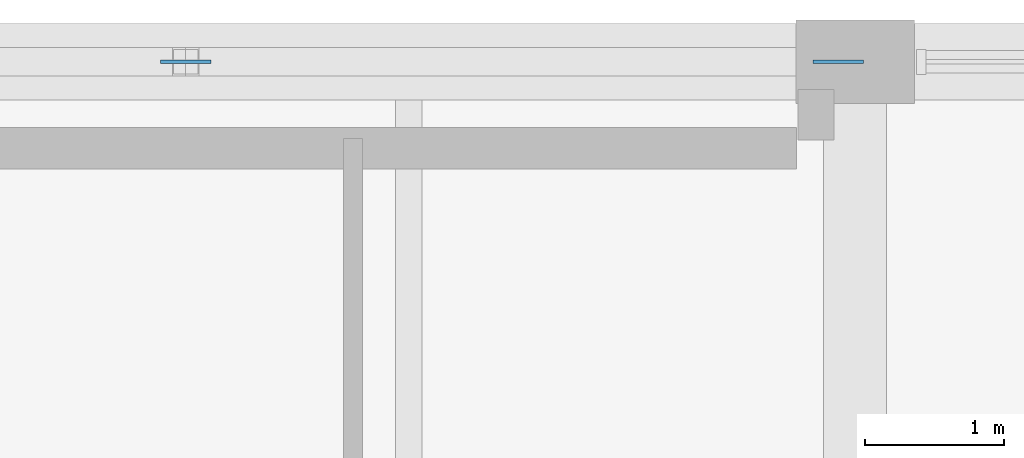
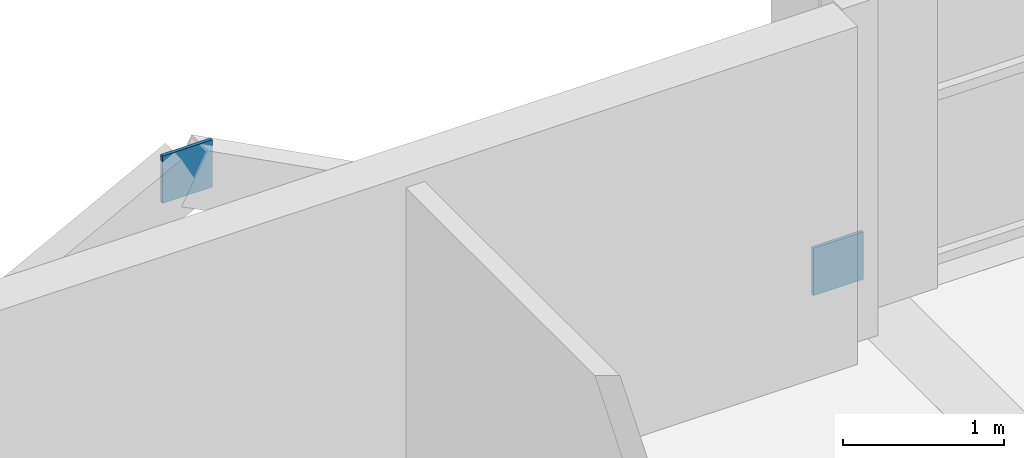
# One storey, part 117 of 147: 2 plates.
"""IFC4 building model written with IfcOpenShell, lengths in metres."""

from ifc_helpers import new_model, si_unit, direction, frame, origin, origin_2d, place, context, subcontext, project, spatial, rectangle, extrude, material, layer, layer_set, type_object, element, save


model = new_model("IFC4")

# Units and contexts
model_context = context("Model", 3, precision=1e-05, world=origin(), true_north=direction((0.0, 1.0)))
body_context = subcontext(model_context, "Body", "Model", "MODEL_VIEW")
ifc_project = project(units=[si_unit("LENGTHUNIT", "METRE"), si_unit("AREAUNIT", "SQUARE_METRE"), si_unit("VOLUMEUNIT", "CUBIC_METRE"), si_unit("PLANEANGLEUNIT", "RADIAN"), si_unit("MASSUNIT", "GRAM", prefix="KILO")], contexts=[model_context])

# Site, building, storey
site_placement = place(None, origin())
site = spatial("IfcSite", under=ifc_project, at=site_placement, CompositionType="ELEMENT")
building_placement = place(site_placement, origin())
building = spatial("IfcBuilding", under=site, at=building_placement, Name="Oolite Switchyard Hospital", CompositionType="ELEMENT")
storey_placement = place(building_placement, frame((0.0, 0.0, 9.89990234375)))
storey = spatial("IfcBuildingStorey", under=building, at=storey_placement, Name="L02", CompositionType="ELEMENT", Elevation=9.89990234375)

# Plates
ifc_material = material(Name="Steel ASTM A572 Grade 50", Category="steel")
ifc_layer = layer(ifc_material, 0.02392578125)
ifc_layer_set = layer_set([ifc_layer], Name="PLT-GUS-360")
plate_type = type_object("IfcPlateType", Name="PLT-GUS-360", PredefinedType="SHEET", material=ifc_layer_set)
for number, where, z_axis, x_axis, name in (
    (1, (191.8798828125, 134.39990234375, 0.02001953125), (0.0, 0.0, 1.0), (1.0, 0.0, 0.0), "L02 Brace Base Gusset Plate 74"),
    (2, (187.199951171875, 134.39990234375, 2.35986328125), (0.0, 0.0, 1.0), (1.0, 0.0, 0.0), "L02 Gusset Connection Plate 75"),
):
    element("IfcPlate", number, at=place(storey_placement, frame(where, z_axis=z_axis, x_axis=x_axis)), inside=storey, type_object=plate_type, Name=name, PredefinedType="SHEET", context=body_context, shape_type="SweptSolid", body=[
        extrude(rectangle(XDim=0.360107421875, YDim=0.02392578125, at=origin_2d()), origin(), (0.0, 0.0, 1.0), 0.360107421875),
    ])

save(model, "model.ifc")
